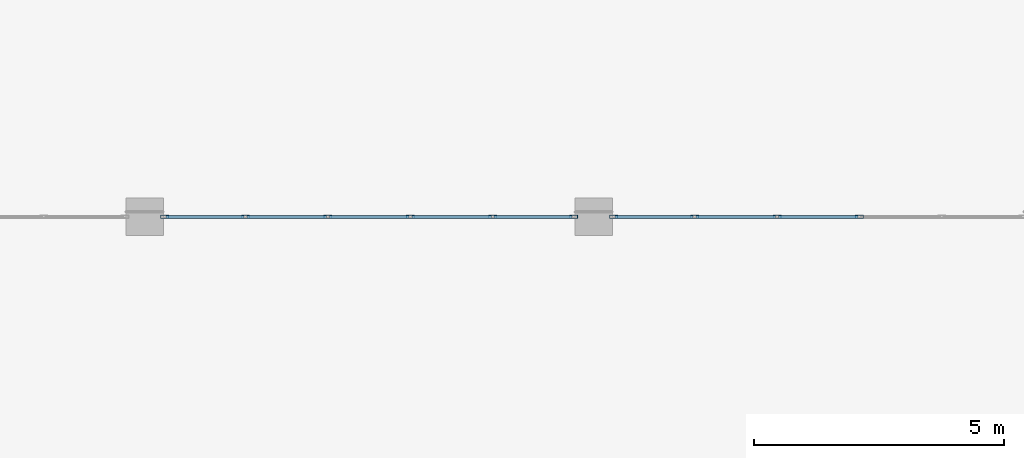
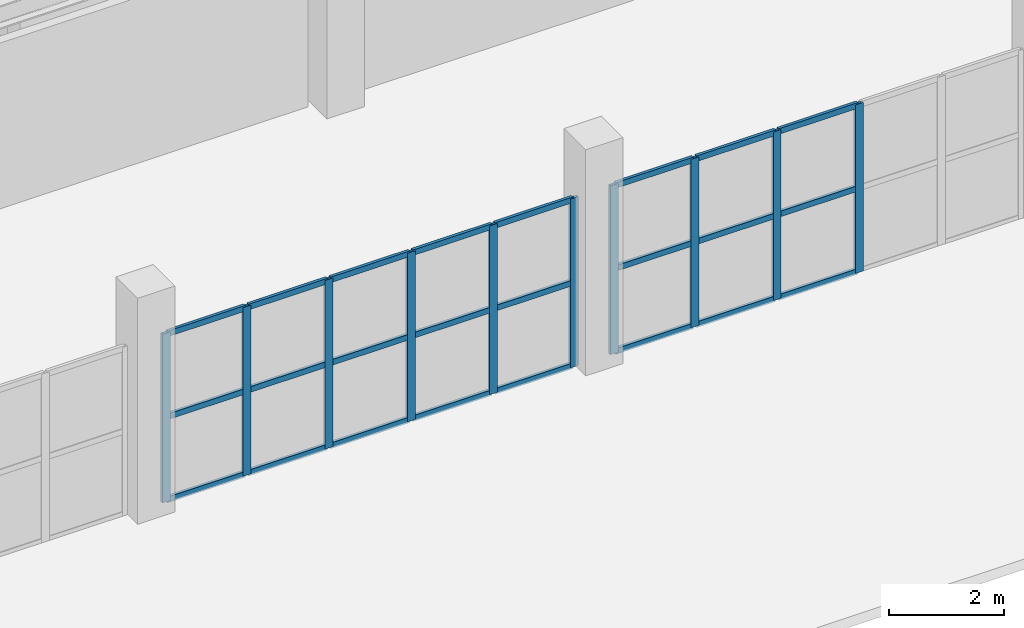
# One storey, part 17 of 89: 34 members, 2 elements without a shape of their own.
"""IFC4 building model written with IfcOpenShell, lengths in metres."""

import ifcopenshell
import ifcopenshell.guid

model = None  # the IFC model being written
_history = None  # IfcOwnerHistory: only IFC2X3 demands one
_inside = {}  # id of a spatial element -> (the spatial element, [elements in it])
_under = {}  # id of a project, library or spatial element -> (it, [spatial elements below it])
_declared = {}  # id of a project -> (the project, [libraries it declares])
_typed = {}  # id of a type object -> (the type object, [elements of that type])
_made_of = {}  # id of a material, layer set ... -> (it, [elements and type objects made of it])


def new_model(schema):
    """Start an empty IFC model of exactly this schema.

    Asked for "IFC4X3", IfcOpenShell would pick the latest addendum, in which some entities
    have other attributes; the version numbers below select the first issue.
    IFC2X3 requires an IfcOwnerHistory on every rooted entity: one is made here for all.
    """
    global model, _history
    if schema == "IFC4X3":
        model = ifcopenshell.file(schema_version=(4, 3, 0, 0))
    else:
        model = ifcopenshell.file(schema=schema)
    _inside.clear()
    _under.clear()
    _declared.clear()
    _typed.clear()
    _made_of.clear()
    _history = None
    if model.schema == "IFC2X3":
        org = make("IfcOrganization", Name="unknown")
        user = make(
            "IfcPersonAndOrganization",
            ThePerson=make("IfcPerson", FamilyName="unknown"),
            TheOrganization=org,
        )
        app = make(
            "IfcApplication",
            ApplicationDeveloper=org,
            Version="unknown",
            ApplicationFullName="unknown",
            ApplicationIdentifier="unknown",
        )
        _history = make(
            "IfcOwnerHistory",
            OwningUser=user,
            OwningApplication=app,
            ChangeAction="ADDED",
            CreationDate=0,
        )
    return model


def make(cls, **values):
    """One entity of the class cls with the attributes given. An attribute that is None is left unset."""
    return model.create_entity(
        cls, **{name: value for name, value in values.items() if value is not None}
    )


def rooted(cls, **values):
    """An entity with a GlobalId (a new one), such as an element, a storey or a relation."""
    return make(cls, GlobalId=ifcopenshell.guid.new(), OwnerHistory=_history, **values)


def si_unit(unit_type, name, prefix=None):
    """IfcSIUnit, for example si_unit("LENGTHUNIT", "METRE", prefix="MILLI")."""
    return make("IfcSIUnit", UnitType=unit_type, Prefix=prefix, Name=name)


def assignment(units):
    """IfcUnitAssignment: the units of a project."""
    return None if units is None else make("IfcUnitAssignment", Units=units)


def point(xyz):
    """IfcCartesianPoint."""
    return None if xyz is None else make("IfcCartesianPoint", Coordinates=xyz)


def direction(xyz):
    """IfcDirection."""
    return None if xyz is None else make("IfcDirection", DirectionRatios=xyz)


def frame(location, z_axis=None, x_axis=None):
    """IfcAxis2Placement3D, a coordinate frame: its origin and axes. An axis left out is left unset."""
    return make(
        "IfcAxis2Placement3D",
        Location=point(location),
        Axis=direction(z_axis),
        RefDirection=direction(x_axis),
    )


def frame_2d(location, x_axis=None):
    """IfcAxis2Placement2D, a coordinate frame in the plane: its origin and x axis."""
    return make(
        "IfcAxis2Placement2D", Location=point(location), RefDirection=direction(x_axis)
    )


def origin():
    """The frame at (0, 0, 0) with its axes left unset."""
    return frame((0.0, 0.0, 0.0))


def origin_2d():
    """The frame at (0, 0) in the plane with its x axis left unset."""
    return frame_2d((0.0, 0.0))


def place(relative_to, where):
    """IfcLocalPlacement: puts the frame where relative to a parent placement (None: the world)."""
    return make(
        "IfcLocalPlacement", PlacementRelTo=relative_to, RelativePlacement=where
    )


def context(
    kind, dimensions, precision=None, world=None, true_north=None, identifier=None
):
    """IfcGeometricRepresentationContext, for example the 3D "Model" context."""
    return make(
        "IfcGeometricRepresentationContext",
        ContextIdentifier=identifier,
        ContextType=kind,
        CoordinateSpaceDimension=dimensions,
        Precision=precision,
        WorldCoordinateSystem=world,
        TrueNorth=true_north,
    )


def subcontext(parent, identifier, kind, view, scale=None):
    """IfcGeometricRepresentationSubContext, for example "Body" below "Model"."""
    return make(
        "IfcGeometricRepresentationSubContext",
        ContextIdentifier=identifier,
        ContextType=kind,
        ParentContext=parent,
        TargetScale=scale,
        TargetView=view,
    )


def project(units=None, contexts=None):
    """IfcProject with its units and contexts."""
    return rooted(
        "IfcProject",
        Name="project",
        RepresentationContexts=contexts,
        UnitsInContext=assignment(units),
    )


def spatial(cls, under=None, at=None, **own):
    """A site, building, storey or space (cls), placed at a placement, below another one or the project."""
    s = rooted(cls, ObjectPlacement=at, **own)
    if under is not None:
        _under.setdefault(under.id(), (under, []))[1].append(s)
    return s


def profile(cls, at=None, kind="AREA", **sizes):
    """A parametric profile (cls). Its sizes go by their IFC names, for example OverallWidth=200.0."""
    return make(cls, ProfileType=kind, Position=at, **sizes)


def hollow_rectangle(**sizes):
    """IfcRectangleHollowProfileDef."""
    return profile("IfcRectangleHollowProfileDef", **sizes)


def extrude(swept, where, along, depth):
    """IfcExtrudedAreaSolid: the profile swept, set in the frame where, extruded along a direction by depth."""
    return make(
        "IfcExtrudedAreaSolid",
        SweptArea=swept,
        Position=where,
        ExtrudedDirection=direction(along),
        Depth=depth,
    )


def shape(context_of_items, identifier, shape_type, items):
    """IfcShapeRepresentation: the items that make up one representation, for example the "Body"."""
    return make(
        "IfcShapeRepresentation",
        ContextOfItems=context_of_items,
        RepresentationIdentifier=identifier,
        RepresentationType=shape_type,
        Items=items,
    )


def material(Name=None, Category=None):
    """IfcMaterial."""
    return make("IfcMaterial", Name=Name, Category=Category)


def layer(
    of_material, thickness, ventilated=None, Name=None, Category=None, Priority=None
):
    """IfcMaterialLayer: one layer of a wall or slab, of a material (None: an air gap)."""
    return make(
        "IfcMaterialLayer",
        Material=of_material,
        LayerThickness=thickness,
        IsVentilated=ventilated,
        Name=Name,
        Category=Category,
        Priority=Priority,
    )


def layer_set(layers, Name=None):
    """IfcMaterialLayerSet."""
    return make("IfcMaterialLayerSet", MaterialLayers=layers, LayerSetName=Name)


def material_profile(
    of_material, cross_section, Name=None, Category=None, Priority=None
):
    """IfcMaterialProfile: a cross section and its material."""
    return make(
        "IfcMaterialProfile",
        Name=Name,
        Material=of_material,
        Profile=cross_section,
        Priority=Priority,
        Category=Category,
    )


def profile_set(profiles, Name=None, composite=None):
    """IfcMaterialProfileSet."""
    return make(
        "IfcMaterialProfileSet",
        Name=Name,
        MaterialProfiles=profiles,
        CompositeProfile=composite,
    )


def made_of(thing, what):
    """Note that an element or type object is made of a material, layer set ...; save() writes the relation."""
    if what is not None:
        _made_of.setdefault(what.id(), (what, []))[1].append(thing)
    return thing


def type_object(cls, material=None, **own):
    """A type object (cls), such as IfcWallType, which elements share."""
    return made_of(rooted(cls, **own), material)


def element(
    cls,
    number,
    at=None,
    inside=None,
    cuts=None,
    type_object=None,
    material=None,
    context=None,
    identifier="Body",
    shape_type=None,
    held_by="IfcProductDefinitionShape",
    body=None,
    shapes=None,
    **own,
):
    """One element of the class cls, such as IfcWall. Its Tag is "e" and its number.

    at: its placement. inside: the storey or other place that contains it. cuts: it is an
    opening in that element (IfcRelVoidsElement). A single representation is given by context,
    identifier, shape_type and body (its items); several are given by shapes. held_by: the class
    of the entity that holds the representations. save() writes the other relations.
    """
    e = rooted(cls, Tag="e%d" % number, ObjectPlacement=at, **own)
    if body is not None:
        shapes = [shape(context, identifier, shape_type, body)]
    if shapes is not None:
        e.Representation = make(held_by, Representations=shapes)
    if inside is not None:
        _inside.setdefault(inside.id(), (inside, []))[1].append(e)
    if cuts is not None:
        rooted(
            "IfcRelVoidsElement", RelatingBuildingElement=cuts, RelatedOpeningElement=e
        )
    if type_object is not None:
        _typed.setdefault(type_object.id(), (type_object, []))[1].append(e)
    return made_of(e, material)


def aggregate(whole, parts):
    """IfcRelAggregates: a whole, such as a stair, and the parts it consists of."""
    return rooted("IfcRelAggregates", RelatingObject=whole, RelatedObjects=parts)


def save(model, path):
    """Write the relations noted so far, then the file.

    IfcRelAggregates (storeys below a building ...), IfcRelContainedInSpatialStructure (elements
    in a storey), IfcRelDefinesByType, IfcRelAssociatesMaterial and IfcRelDeclares: one each for
    every whole, place, type object, material and project.
    """
    for whole, parts in _under.values():
        aggregate(whole, parts)
    for where, things in _inside.values():
        rooted(
            "IfcRelContainedInSpatialStructure",
            RelatedElements=things,
            RelatingStructure=where,
        )
    for kind, things in _typed.values():
        rooted("IfcRelDefinesByType", RelatedObjects=things, RelatingType=kind)
    for what, things in _made_of.values():
        rooted("IfcRelAssociatesMaterial", RelatedObjects=things, RelatingMaterial=what)
    for by, libraries in _declared.values():
        rooted("IfcRelDeclares", RelatingContext=by, RelatedDefinitions=libraries)
    model.write(path)


model = new_model("IFC4")

# Units and contexts
model_context = context("Model", 3, precision=1e-05, world=origin(), true_north=direction((0.0, 1.0)))
body_context = subcontext(model_context, "Body", "Model", "MODEL_VIEW")
ifc_project = project(units=[si_unit("LENGTHUNIT", "METRE"), si_unit("AREAUNIT", "SQUARE_METRE"), si_unit("VOLUMEUNIT", "CUBIC_METRE"), si_unit("PLANEANGLEUNIT", "RADIAN"), si_unit("MASSUNIT", "GRAM", prefix="KILO")], contexts=[model_context])

# Site, building, storey
site_placement = place(None, origin())
site = spatial("IfcSite", under=ifc_project, at=site_placement, CompositionType="ELEMENT")
building_placement = place(site_placement, origin())
building = spatial("IfcBuilding", under=site, at=building_placement, Name="Dornveld Trade and Exhibition Forum", CompositionType="ELEMENT")
storey_placement = place(building_placement, frame((0.0, 0.0, 12.0)))
storey = spatial("IfcBuildingStorey", under=building, at=storey_placement, Name="L02", CompositionType="ELEMENT", Elevation=12.0)

# Curtain wall, members
ifc_material_1 = material(Name="Dark-bronze anodised aluminium and low-E glass", Category="aluminium")
ifc_layer_1 = layer(ifc_material_1, 0.18408203125)
ifc_layer_set_1 = layer_set([ifc_layer_1], Name="Dark-bronze anodised aluminium and low-E glass")
curtain_wall_type_1 = type_object("IfcCurtainWallType", Name="CW-SYS-14", PredefinedType="USERDEFINED", material=ifc_layer_set_1)
curtain_wall_1_placement = place(storey_placement, origin())
curtain_wall_1 = element("IfcCurtainWall", 1, at=curtain_wall_1_placement, inside=storey, type_object=curtain_wall_type_1, Name="L02 unitised curtain wall 50", ObjectType="UNITISED_CURTAIN_WALL", PredefinedType="USERDEFINED")
ifc_material_2 = material(Name="Dark-bronze anodised aluminium", Category="aluminium")
ifc_material_profile_1 = material_profile(ifc_material_2, hollow_rectangle(XDim=0.06005859375, YDim=0.159912109375, WallThickness=0.00390625, at=origin_2d()), Name="RHS 160x60x4")
ifc_profile_set_1 = profile_set([ifc_material_profile_1], Name="Dark-bronze anodised aluminium")
member_type_1 = type_object("IfcMemberType", Name="CW-MUL-160", PredefinedType="MULLION", material=ifc_profile_set_1)
member_1_placement = place(storey_placement, frame((117.40087890625, 36.0, -0.00390625), z_axis=(0.0, 0.0, 1.0), x_axis=(0.0, 1.0, 0.0)))
member_1 = element("IfcMember", 2, at=member_1_placement, type_object=member_type_1, Name="CW-14 mullion 1", PredefinedType="MULLION", context=body_context, shape_type="SweptSolid", body=[
    extrude(hollow_rectangle(XDim=0.06005859375, YDim=0.159912109375, WallThickness=0.00390625, at=origin_2d()), origin(), (0.0, 0.0, 1.0), 3.583984375),
])
member_2_placement = place(storey_placement, frame((119.022705078125, 36.0, -0.00390625), z_axis=(0.0, 0.0, 1.0), x_axis=(0.0, 1.0, 0.0)))
member_2 = element("IfcMember", 3, at=member_2_placement, type_object=member_type_1, Name="CW-14 mullion 2", PredefinedType="MULLION", context=body_context, shape_type="SweptSolid", body=[
    extrude(hollow_rectangle(XDim=0.06005859375, YDim=0.159912109375, WallThickness=0.00390625, at=origin_2d()), origin(), (0.0, 0.0, 1.0), 3.583984375),
])
member_3_placement = place(storey_placement, frame((120.67431640625, 36.0, -0.00390625), z_axis=(0.0, 0.0, 1.0), x_axis=(0.0, 1.0, 0.0)))
member_3 = element("IfcMember", 4, at=member_3_placement, type_object=member_type_1, Name="CW-14 mullion 3", PredefinedType="MULLION", context=body_context, shape_type="SweptSolid", body=[
    extrude(hollow_rectangle(XDim=0.06005859375, YDim=0.159912109375, WallThickness=0.00390625, at=origin_2d()), origin(), (0.0, 0.0, 1.0), 3.583984375),
])
member_4_placement = place(storey_placement, frame((122.32568359375, 36.0, -0.00390625), z_axis=(0.0, 0.0, 1.0), x_axis=(0.0, 1.0, 0.0)))
member_4 = element("IfcMember", 5, at=member_4_placement, type_object=member_type_1, Name="CW-14 mullion 4", PredefinedType="MULLION", context=body_context, shape_type="SweptSolid", body=[
    extrude(hollow_rectangle(XDim=0.06005859375, YDim=0.159912109375, WallThickness=0.00390625, at=origin_2d()), origin(), (0.0, 0.0, 1.0), 3.583984375),
])
member_5_placement = place(storey_placement, frame((123.977294921875, 36.0, -0.00390625), z_axis=(0.0, 0.0, 1.0), x_axis=(0.0, 1.0, 0.0)))
member_5 = element("IfcMember", 6, at=member_5_placement, type_object=member_type_1, Name="CW-14 mullion 5", PredefinedType="MULLION", context=body_context, shape_type="SweptSolid", body=[
    extrude(hollow_rectangle(XDim=0.06005859375, YDim=0.159912109375, WallThickness=0.00390625, at=origin_2d()), origin(), (0.0, 0.0, 1.0), 3.583984375),
])
member_6_placement = place(storey_placement, frame((125.59912109375, 36.0, -0.00390625), z_axis=(0.0, 0.0, 1.0), x_axis=(0.0, 1.0, 0.0)))
member_6 = element("IfcMember", 7, at=member_6_placement, type_object=member_type_1, Name="CW-14 mullion 6", PredefinedType="MULLION", context=body_context, shape_type="SweptSolid", body=[
    extrude(hollow_rectangle(XDim=0.06005859375, YDim=0.159912109375, WallThickness=0.00390625, at=origin_2d()), origin(), (0.0, 0.0, 1.0), 3.583984375),
])

ifc_material_3 = material(Name="Dark-bronze anodised aluminium and low-E glass", Category="aluminium")
ifc_layer_2 = layer(ifc_material_3, 0.18701171875)
ifc_layer_set_2 = layer_set([ifc_layer_2], Name="Dark-bronze anodised aluminium and low-E glass")
curtain_wall_type_2 = type_object("IfcCurtainWallType", Name="CW-SYS-15", PredefinedType="USERDEFINED", material=ifc_layer_set_2)
curtain_wall_2_placement = place(storey_placement, origin())
curtain_wall_2 = element("IfcCurtainWall", 8, at=curtain_wall_2_placement, inside=storey, type_object=curtain_wall_type_2, Name="L02 unitised curtain wall 51", ObjectType="UNITISED_CURTAIN_WALL", PredefinedType="USERDEFINED")
member_7_placement = place(storey_placement, frame((126.40087890625, 36.0, -0.00390625), z_axis=(0.0, 0.0, 1.0), x_axis=(0.0, 1.0, 0.0)))
member_7 = element("IfcMember", 9, at=member_7_placement, type_object=member_type_1, Name="CW-15 mullion 1", PredefinedType="MULLION", context=body_context, shape_type="SweptSolid", body=[
    extrude(hollow_rectangle(XDim=0.06005859375, YDim=0.159912109375, WallThickness=0.00390625, at=origin_2d()), origin(), (0.0, 0.0, 1.0), 3.583984375),
])
member_8_placement = place(storey_placement, frame((128.022705078125, 36.0, -0.00390625), z_axis=(0.0, 0.0, 1.0), x_axis=(0.0, 1.0, 0.0)))
member_8 = element("IfcMember", 10, at=member_8_placement, type_object=member_type_1, Name="CW-15 mullion 2", PredefinedType="MULLION", context=body_context, shape_type="SweptSolid", body=[
    extrude(hollow_rectangle(XDim=0.06005859375, YDim=0.159912109375, WallThickness=0.00390625, at=origin_2d()), origin(), (0.0, 0.0, 1.0), 3.583984375),
])
member_9_placement = place(storey_placement, frame((129.67431640625, 36.0, -0.00390625), z_axis=(0.0, 0.0, 1.0), x_axis=(0.0, 1.0, 0.0)))
member_9 = element("IfcMember", 11, at=member_9_placement, type_object=member_type_1, Name="CW-15 mullion 3", PredefinedType="MULLION", context=body_context, shape_type="SweptSolid", body=[
    extrude(hollow_rectangle(XDim=0.06005859375, YDim=0.159912109375, WallThickness=0.00390625, at=origin_2d()), origin(), (0.0, 0.0, 1.0), 3.583984375),
])
member_10_placement = place(storey_placement, frame((131.32568359375, 36.0, -0.00390625), z_axis=(0.0, 0.0, 1.0), x_axis=(0.0, 1.0, 0.0)))
member_10 = element("IfcMember", 12, at=member_10_placement, type_object=member_type_1, Name="CW-15 mullion 4", PredefinedType="MULLION", context=body_context, shape_type="SweptSolid", body=[
    extrude(hollow_rectangle(XDim=0.06005859375, YDim=0.159912109375, WallThickness=0.00390625, at=origin_2d()), origin(), (0.0, 0.0, 1.0), 3.583984375),
])

# Member
ifc_material_4 = material(Name="Dark-bronze anodised aluminium", Category="aluminium")
ifc_material_profile_2 = material_profile(ifc_material_4, hollow_rectangle(XDim=0.06005859375, YDim=0.1201171875, WallThickness=0.00390625, at=origin_2d()), Name="RHS 120x60x4")
ifc_profile_set_2 = profile_set([ifc_material_profile_2], Name="Dark-bronze anodised aluminium")
member_type_2 = type_object("IfcMemberType", Name="CW-TRN-120", PredefinedType="USERDEFINED", material=ifc_profile_set_2)
member_11_placement = place(storey_placement, frame((117.430908203125, 36.0, 0.02587890625), z_axis=(1.0, 0.0, 0.0), x_axis=(0.0, 1.0, 0.0)))
member_11 = element("IfcMember", 13, at=member_11_placement, type_object=member_type_2, Name="CW-14 transom 1.1", ObjectType="TRANSOM", PredefinedType="USERDEFINED", context=body_context, shape_type="SweptSolid", body=[
    extrude(hollow_rectangle(XDim=0.06005859375, YDim=0.1201171875, WallThickness=0.00390625, at=origin_2d()), origin(), (0.0, 0.0, 1.0), 1.561767578125),
])

member_12_placement = place(storey_placement, frame((117.430908203125, 36.0, 1.7880859375), z_axis=(1.0, 0.0, 0.0), x_axis=(0.0, 1.0, 0.0)))
member_12 = element("IfcMember", 14, at=member_12_placement, type_object=member_type_2, Name="CW-14 transom 1.2", ObjectType="TRANSOM", PredefinedType="USERDEFINED", context=body_context, shape_type="SweptSolid", body=[
    extrude(hollow_rectangle(XDim=0.06005859375, YDim=0.1201171875, WallThickness=0.00390625, at=origin_2d()), origin(), (0.0, 0.0, 1.0), 1.561767578125),
])

member_13_placement = place(storey_placement, frame((117.430908203125, 36.0, 3.550048828125), z_axis=(1.0, 0.0, 0.0), x_axis=(0.0, 1.0, 0.0)))
member_13 = element("IfcMember", 15, at=member_13_placement, type_object=member_type_2, Name="CW-14 transom 1.3", ObjectType="TRANSOM", PredefinedType="USERDEFINED", context=body_context, shape_type="SweptSolid", body=[
    extrude(hollow_rectangle(XDim=0.06005859375, YDim=0.1201171875, WallThickness=0.00390625, at=origin_2d()), origin(), (0.0, 0.0, 1.0), 1.561767578125),
])

member_14_placement = place(storey_placement, frame((119.052490234375, 36.0, 0.02587890625), z_axis=(1.0, 0.0, 0.0), x_axis=(0.0, 1.0, 0.0)))
member_14 = element("IfcMember", 16, at=member_14_placement, type_object=member_type_2, Name="CW-14 transom 2.1", ObjectType="TRANSOM", PredefinedType="USERDEFINED", context=body_context, shape_type="SweptSolid", body=[
    extrude(hollow_rectangle(XDim=0.06005859375, YDim=0.1201171875, WallThickness=0.00390625, at=origin_2d()), origin(), (0.0, 0.0, 1.0), 1.591796875),
])

member_15_placement = place(storey_placement, frame((119.052490234375, 36.0, 1.7880859375), z_axis=(1.0, 0.0, 0.0), x_axis=(0.0, 1.0, 0.0)))
member_15 = element("IfcMember", 17, at=member_15_placement, type_object=member_type_2, Name="CW-14 transom 2.2", ObjectType="TRANSOM", PredefinedType="USERDEFINED", context=body_context, shape_type="SweptSolid", body=[
    extrude(hollow_rectangle(XDim=0.06005859375, YDim=0.1201171875, WallThickness=0.00390625, at=origin_2d()), origin(), (0.0, 0.0, 1.0), 1.591796875),
])

member_16_placement = place(storey_placement, frame((119.052490234375, 36.0, 3.550048828125), z_axis=(1.0, 0.0, 0.0), x_axis=(0.0, 1.0, 0.0)))
member_16 = element("IfcMember", 18, at=member_16_placement, type_object=member_type_2, Name="CW-14 transom 2.3", ObjectType="TRANSOM", PredefinedType="USERDEFINED", context=body_context, shape_type="SweptSolid", body=[
    extrude(hollow_rectangle(XDim=0.06005859375, YDim=0.1201171875, WallThickness=0.00390625, at=origin_2d()), origin(), (0.0, 0.0, 1.0), 1.591796875),
])

member_17_placement = place(storey_placement, frame((120.7041015625, 36.0, 0.02587890625), z_axis=(1.0, 0.0, 0.0), x_axis=(0.0, 1.0, 0.0)))
member_17 = element("IfcMember", 19, at=member_17_placement, type_object=member_type_2, Name="CW-14 transom 3.1", ObjectType="TRANSOM", PredefinedType="USERDEFINED", context=body_context, shape_type="SweptSolid", body=[
    extrude(hollow_rectangle(XDim=0.06005859375, YDim=0.1201171875, WallThickness=0.00390625, at=origin_2d()), origin(), (0.0, 0.0, 1.0), 1.591796875),
])

member_18_placement = place(storey_placement, frame((120.7041015625, 36.0, 1.7880859375), z_axis=(1.0, 0.0, 0.0), x_axis=(0.0, 1.0, 0.0)))
member_18 = element("IfcMember", 20, at=member_18_placement, type_object=member_type_2, Name="CW-14 transom 3.2", ObjectType="TRANSOM", PredefinedType="USERDEFINED", context=body_context, shape_type="SweptSolid", body=[
    extrude(hollow_rectangle(XDim=0.06005859375, YDim=0.1201171875, WallThickness=0.00390625, at=origin_2d()), origin(), (0.0, 0.0, 1.0), 1.591796875),
])

member_19_placement = place(storey_placement, frame((120.7041015625, 36.0, 3.550048828125), z_axis=(1.0, 0.0, 0.0), x_axis=(0.0, 1.0, 0.0)))
member_19 = element("IfcMember", 21, at=member_19_placement, type_object=member_type_2, Name="CW-14 transom 3.3", ObjectType="TRANSOM", PredefinedType="USERDEFINED", context=body_context, shape_type="SweptSolid", body=[
    extrude(hollow_rectangle(XDim=0.06005859375, YDim=0.1201171875, WallThickness=0.00390625, at=origin_2d()), origin(), (0.0, 0.0, 1.0), 1.591796875),
])

member_20_placement = place(storey_placement, frame((122.355712890625, 36.0, 0.02587890625), z_axis=(1.0, 0.0, 0.0), x_axis=(0.0, 1.0, 0.0)))
member_20 = element("IfcMember", 22, at=member_20_placement, type_object=member_type_2, Name="CW-14 transom 4.1", ObjectType="TRANSOM", PredefinedType="USERDEFINED", context=body_context, shape_type="SweptSolid", body=[
    extrude(hollow_rectangle(XDim=0.06005859375, YDim=0.1201171875, WallThickness=0.00390625, at=origin_2d()), origin(), (0.0, 0.0, 1.0), 1.591796875),
])

member_21_placement = place(storey_placement, frame((122.355712890625, 36.0, 1.7880859375), z_axis=(1.0, 0.0, 0.0), x_axis=(0.0, 1.0, 0.0)))
member_21 = element("IfcMember", 23, at=member_21_placement, type_object=member_type_2, Name="CW-14 transom 4.2", ObjectType="TRANSOM", PredefinedType="USERDEFINED", context=body_context, shape_type="SweptSolid", body=[
    extrude(hollow_rectangle(XDim=0.06005859375, YDim=0.1201171875, WallThickness=0.00390625, at=origin_2d()), origin(), (0.0, 0.0, 1.0), 1.591796875),
])

member_22_placement = place(storey_placement, frame((122.355712890625, 36.0, 3.550048828125), z_axis=(1.0, 0.0, 0.0), x_axis=(0.0, 1.0, 0.0)))
member_22 = element("IfcMember", 24, at=member_22_placement, type_object=member_type_2, Name="CW-14 transom 4.3", ObjectType="TRANSOM", PredefinedType="USERDEFINED", context=body_context, shape_type="SweptSolid", body=[
    extrude(hollow_rectangle(XDim=0.06005859375, YDim=0.1201171875, WallThickness=0.00390625, at=origin_2d()), origin(), (0.0, 0.0, 1.0), 1.591796875),
])

member_23_placement = place(storey_placement, frame((124.00732421875, 36.0, 0.02587890625), z_axis=(1.0, 0.0, 0.0), x_axis=(0.0, 1.0, 0.0)))
member_23 = element("IfcMember", 25, at=member_23_placement, type_object=member_type_2, Name="CW-14 transom 5.1", ObjectType="TRANSOM", PredefinedType="USERDEFINED", context=body_context, shape_type="SweptSolid", body=[
    extrude(hollow_rectangle(XDim=0.06005859375, YDim=0.1201171875, WallThickness=0.00390625, at=origin_2d()), origin(), (0.0, 0.0, 1.0), 1.561767578125),
])

member_24_placement = place(storey_placement, frame((124.00732421875, 36.0, 1.7880859375), z_axis=(1.0, 0.0, 0.0), x_axis=(0.0, 1.0, 0.0)))
member_24 = element("IfcMember", 26, at=member_24_placement, type_object=member_type_2, Name="CW-14 transom 5.2", ObjectType="TRANSOM", PredefinedType="USERDEFINED", context=body_context, shape_type="SweptSolid", body=[
    extrude(hollow_rectangle(XDim=0.06005859375, YDim=0.1201171875, WallThickness=0.00390625, at=origin_2d()), origin(), (0.0, 0.0, 1.0), 1.561767578125),
])

member_25_placement = place(storey_placement, frame((124.00732421875, 36.0, 3.550048828125), z_axis=(1.0, 0.0, 0.0), x_axis=(0.0, 1.0, 0.0)))
member_25 = element("IfcMember", 27, at=member_25_placement, type_object=member_type_2, Name="CW-14 transom 5.3", ObjectType="TRANSOM", PredefinedType="USERDEFINED", context=body_context, shape_type="SweptSolid", body=[
    extrude(hollow_rectangle(XDim=0.06005859375, YDim=0.1201171875, WallThickness=0.00390625, at=origin_2d()), origin(), (0.0, 0.0, 1.0), 1.561767578125),
])

aggregate(curtain_wall_1, [member_1, member_2, member_3, member_4, member_5, member_6, member_11, member_12, member_13, member_14, member_15, member_16, member_17, member_18, member_19, member_20, member_21, member_22, member_23, member_24, member_25])

member_26_placement = place(storey_placement, frame((126.430908203125, 36.0, 0.02587890625), z_axis=(1.0, 0.0, 0.0), x_axis=(0.0, 1.0, 0.0)))
member_26 = element("IfcMember", 28, at=member_26_placement, type_object=member_type_2, Name="CW-15 transom 1.1", ObjectType="TRANSOM", PredefinedType="USERDEFINED", context=body_context, shape_type="SweptSolid", body=[
    extrude(hollow_rectangle(XDim=0.06005859375, YDim=0.1201171875, WallThickness=0.00390625, at=origin_2d()), origin(), (0.0, 0.0, 1.0), 1.561767578125),
])

member_27_placement = place(storey_placement, frame((126.430908203125, 36.0, 1.7880859375), z_axis=(1.0, 0.0, 0.0), x_axis=(0.0, 1.0, 0.0)))
member_27 = element("IfcMember", 29, at=member_27_placement, type_object=member_type_2, Name="CW-15 transom 1.2", ObjectType="TRANSOM", PredefinedType="USERDEFINED", context=body_context, shape_type="SweptSolid", body=[
    extrude(hollow_rectangle(XDim=0.06005859375, YDim=0.1201171875, WallThickness=0.00390625, at=origin_2d()), origin(), (0.0, 0.0, 1.0), 1.561767578125),
])

member_28_placement = place(storey_placement, frame((126.430908203125, 36.0, 3.550048828125), z_axis=(1.0, 0.0, 0.0), x_axis=(0.0, 1.0, 0.0)))
member_28 = element("IfcMember", 30, at=member_28_placement, type_object=member_type_2, Name="CW-15 transom 1.3", ObjectType="TRANSOM", PredefinedType="USERDEFINED", context=body_context, shape_type="SweptSolid", body=[
    extrude(hollow_rectangle(XDim=0.06005859375, YDim=0.1201171875, WallThickness=0.00390625, at=origin_2d()), origin(), (0.0, 0.0, 1.0), 1.561767578125),
])

member_29_placement = place(storey_placement, frame((128.052490234375, 36.0, 0.02587890625), z_axis=(1.0, 0.0, 0.0), x_axis=(0.0, 1.0, 0.0)))
member_29 = element("IfcMember", 31, at=member_29_placement, type_object=member_type_2, Name="CW-15 transom 2.1", ObjectType="TRANSOM", PredefinedType="USERDEFINED", context=body_context, shape_type="SweptSolid", body=[
    extrude(hollow_rectangle(XDim=0.06005859375, YDim=0.1201171875, WallThickness=0.00390625, at=origin_2d()), origin(), (0.0, 0.0, 1.0), 1.591796875),
])

member_30_placement = place(storey_placement, frame((128.052490234375, 36.0, 1.7880859375), z_axis=(1.0, 0.0, 0.0), x_axis=(0.0, 1.0, 0.0)))
member_30 = element("IfcMember", 32, at=member_30_placement, type_object=member_type_2, Name="CW-15 transom 2.2", ObjectType="TRANSOM", PredefinedType="USERDEFINED", context=body_context, shape_type="SweptSolid", body=[
    extrude(hollow_rectangle(XDim=0.06005859375, YDim=0.1201171875, WallThickness=0.00390625, at=origin_2d()), origin(), (0.0, 0.0, 1.0), 1.591796875),
])

member_31_placement = place(storey_placement, frame((128.052490234375, 36.0, 3.550048828125), z_axis=(1.0, 0.0, 0.0), x_axis=(0.0, 1.0, 0.0)))
member_31 = element("IfcMember", 33, at=member_31_placement, type_object=member_type_2, Name="CW-15 transom 2.3", ObjectType="TRANSOM", PredefinedType="USERDEFINED", context=body_context, shape_type="SweptSolid", body=[
    extrude(hollow_rectangle(XDim=0.06005859375, YDim=0.1201171875, WallThickness=0.00390625, at=origin_2d()), origin(), (0.0, 0.0, 1.0), 1.591796875),
])

member_32_placement = place(storey_placement, frame((129.7041015625, 36.0, 0.02587890625), z_axis=(1.0, 0.0, 0.0), x_axis=(0.0, 1.0, 0.0)))
member_32 = element("IfcMember", 34, at=member_32_placement, type_object=member_type_2, Name="CW-15 transom 3.1", ObjectType="TRANSOM", PredefinedType="USERDEFINED", context=body_context, shape_type="SweptSolid", body=[
    extrude(hollow_rectangle(XDim=0.06005859375, YDim=0.1201171875, WallThickness=0.00390625, at=origin_2d()), origin(), (0.0, 0.0, 1.0), 1.591796875),
])

member_33_placement = place(storey_placement, frame((129.7041015625, 36.0, 1.7880859375), z_axis=(1.0, 0.0, 0.0), x_axis=(0.0, 1.0, 0.0)))
member_33 = element("IfcMember", 35, at=member_33_placement, type_object=member_type_2, Name="CW-15 transom 3.2", ObjectType="TRANSOM", PredefinedType="USERDEFINED", context=body_context, shape_type="SweptSolid", body=[
    extrude(hollow_rectangle(XDim=0.06005859375, YDim=0.1201171875, WallThickness=0.00390625, at=origin_2d()), origin(), (0.0, 0.0, 1.0), 1.591796875),
])

member_34_placement = place(storey_placement, frame((129.7041015625, 36.0, 3.550048828125), z_axis=(1.0, 0.0, 0.0), x_axis=(0.0, 1.0, 0.0)))
member_34 = element("IfcMember", 36, at=member_34_placement, type_object=member_type_2, Name="CW-15 transom 3.3", ObjectType="TRANSOM", PredefinedType="USERDEFINED", context=body_context, shape_type="SweptSolid", body=[
    extrude(hollow_rectangle(XDim=0.06005859375, YDim=0.1201171875, WallThickness=0.00390625, at=origin_2d()), origin(), (0.0, 0.0, 1.0), 1.591796875),
])

aggregate(curtain_wall_2, [member_7, member_8, member_9, member_10, member_26, member_27, member_28, member_29, member_30, member_31, member_32, member_33, member_34])

save(model, "model.ifc")
